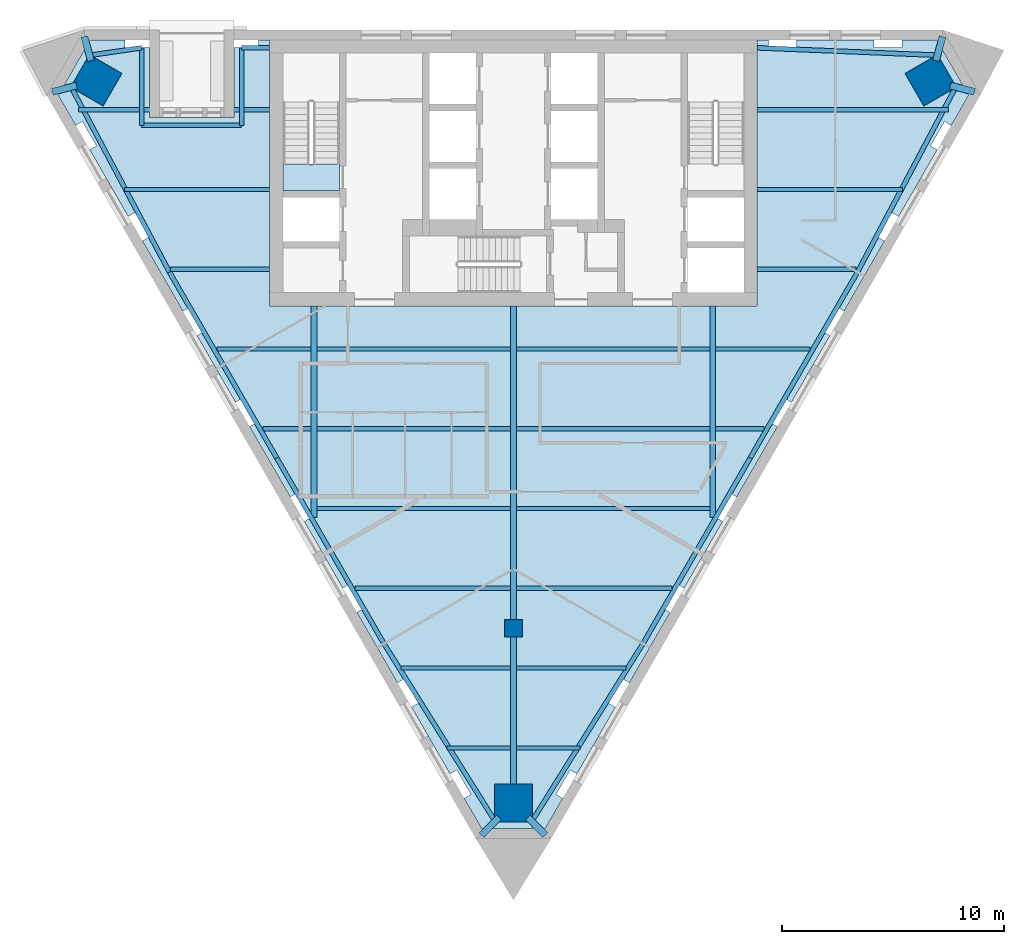
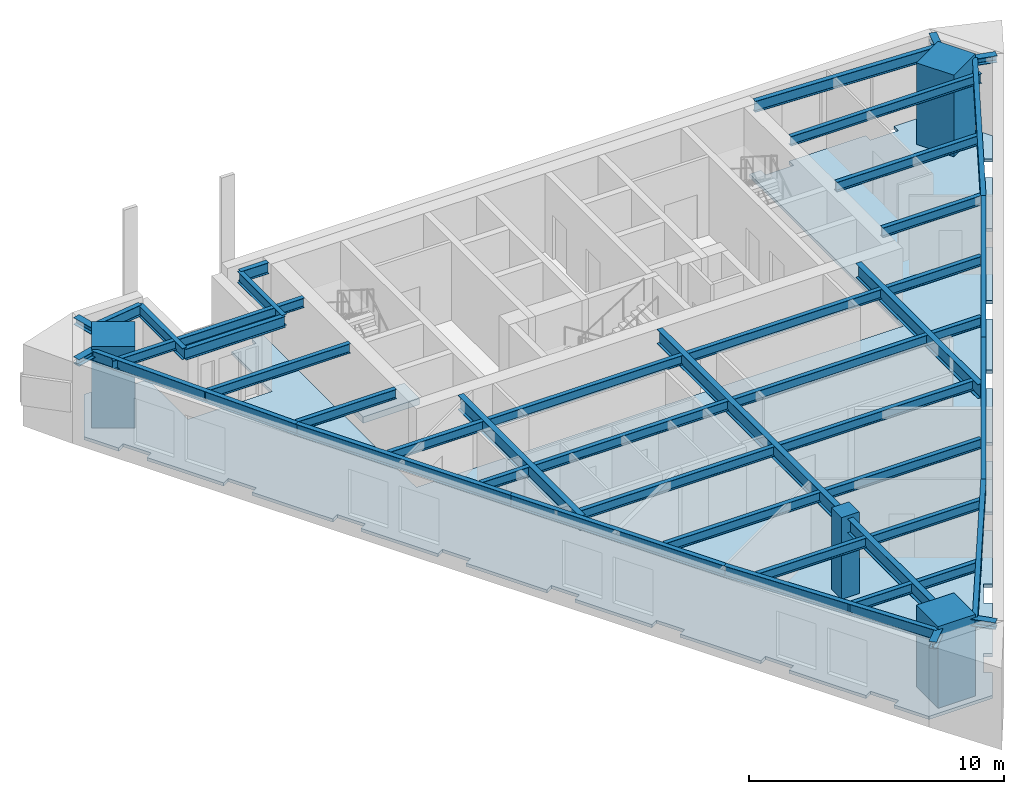
# One storey, part 1 of 6: 46 beams, 4 columns, 2 slabs.
"""IFC4 building model written with IfcOpenShell, lengths in metres."""

from ifc_helpers import new_model, si_unit, direction, frame, origin, origin_2d, place, context, subcontext, project, spatial, polyline, rectangle, i_section, outline, extrude, material, layer, layer_set, material_profile, profile_set, type_object, element, save


model = new_model("IFC4")

# Units and contexts
model_context = context("Model", 3, precision=1e-05, world=origin(), true_north=direction((0.0, 1.0)))
body_context = subcontext(model_context, "Body", "Model", "MODEL_VIEW")
ifc_project = project(units=[si_unit("LENGTHUNIT", "METRE"), si_unit("AREAUNIT", "SQUARE_METRE"), si_unit("VOLUMEUNIT", "CUBIC_METRE"), si_unit("PLANEANGLEUNIT", "RADIAN"), si_unit("MASSUNIT", "GRAM", prefix="KILO")], contexts=[model_context])

# Site, building, storey
site_placement = place(None, origin())
site = spatial("IfcSite", under=ifc_project, at=site_placement, CompositionType="ELEMENT")
building_placement = place(site_placement, origin())
building = spatial("IfcBuilding", under=site, at=building_placement, Name="Aloe Facet Convention Tower", CompositionType="ELEMENT")
storey_placement = place(building_placement, frame((0.0, 0.0, 191.89990234375)))
storey = spatial("IfcBuildingStorey", under=building, at=storey_placement, Name="L48", CompositionType="ELEMENT", Elevation=191.89990234375)

# Columns
ifc_material_1 = material(Name="Concrete C70/85", Category="concrete")
ifc_material_profile_1 = material_profile(ifc_material_1, rectangle(XDim=0.800048828125, YDim=0.800048828125, at=origin_2d()), Name="SF-GC-Z4")
ifc_profile_set_1 = profile_set([ifc_material_profile_1], Name="Concrete C70/85")
column_type_1 = type_object("IfcColumnType", Name="SF-GC-Z4", PredefinedType="COLUMN", material=ifc_profile_set_1)
column_placement = place(storey_placement, frame((80.0, 108.0, 0.0), z_axis=(0.0, 0.0, 1.0), x_axis=(1.0, 0.0, 0.0)))
element("IfcColumn", 1, at=column_placement, inside=storey, type_object=column_type_1, Name="Gravity column GC-Z4-9D", PredefinedType="COLUMN", context=body_context, shape_type="SweptSolid", body=[
    extrude(rectangle(XDim=0.800048828125, YDim=0.800048828125, at=origin_2d()), origin(), (0.0, 0.0, 1.0), 3.900146484375),
])
ifc_material_2 = material(Name="Concrete C80/95", Category="concrete")
ifc_material_profile_2 = material_profile(ifc_material_2, rectangle(XDim=1.699951171875, YDim=1.699951171875, at=origin_2d()), Name="STW-MC-Z4")
ifc_profile_set_2 = profile_set([ifc_material_profile_2], Name="Concrete C80/95")
column_type_2 = type_object("IfcColumnType", Name="STW-MC-Z4", PredefinedType="COLUMN", material=ifc_profile_set_2)
for number, where, z_axis, x_axis, name in (
    (2, (98.828857421875, 132.727783203125, 0.0), (0.0, 0.0, 1.0), (-0.5, 0.866025403784, 0.0), "Mega-column MC-NE-L48"),
    (3, (61.171142578125, 132.727783203125, 0.0), (0.0, 0.0, 1.0), (-0.5, -0.866025403784, 0.0), "Mega-column MC-NW-L48"),
    (4, (80.0, 100.114990234375, 0.0), (0.0, 0.0, 1.0), (1.0, 0.0, 0.0), "Mega-column MC-S-L48"),
):
    element("IfcColumn", number, at=place(storey_placement, frame(where, z_axis=z_axis, x_axis=x_axis)), inside=storey, type_object=column_type_2, Name=name, PredefinedType="COLUMN", context=body_context, shape_type="SweptSolid", body=[
        extrude(rectangle(XDim=1.699951171875, YDim=1.699951171875, at=origin_2d()), origin(), (0.0, 0.0, 1.0), 3.900146484375),
    ])

# Beams
ifc_material_3 = material(Name="Steel S355", Category="steel")
ifc_material_profile_3 = material_profile(ifc_material_3, i_section(OverallWidth=0.19140625, OverallDepth=0.4599609375, WebThickness=0.010009765625, FlangeThickness=0.01611328125, FilletRadius=0.01025390625, at=origin_2d()), Name="UB 457x191x82")
ifc_profile_set_3 = profile_set([ifc_material_profile_3], Name="Steel S355")
beam_type_1 = type_object("IfcBeamType", Name="SF-B-UB457x191x82", PredefinedType="BEAM", material=ifc_profile_set_3)
beam_1_placement = place(storey_placement, frame((60.373779296875, 131.39990234375, 3.52001953125), z_axis=(1.0, 0.0, 0.0), x_axis=(0.0, 1.0, 0.0)))
element("IfcBeam", 5, at=beam_1_placement, inside=storey, type_object=beam_type_1, Name="Floor beam FB-Z4D-019", PredefinedType="BEAM", context=body_context, shape_type="SweptSolid", body=[
    extrude(i_section(OverallWidth=0.19140625, OverallDepth=0.4599609375, WebThickness=0.010009765625, FlangeThickness=0.01611328125, FilletRadius=0.01025390625, at=origin_2d()), origin(), (0.0, 0.0, 1.0), 8.626220703125),
])
beam_2_placement = place(storey_placement, frame((62.452392578125, 127.800048828125, 3.52001953125), z_axis=(1.0, 0.0, 0.0), x_axis=(0.0, 1.0, 0.0)))
element("IfcBeam", 6, at=beam_2_placement, inside=storey, type_object=beam_type_1, Name="Floor beam FB-Z4D-020", PredefinedType="BEAM", context=body_context, shape_type="SweptSolid", body=[
    extrude(i_section(OverallWidth=0.19140625, OverallDepth=0.4599609375, WebThickness=0.010009765625, FlangeThickness=0.01611328125, FilletRadius=0.01025390625, at=origin_2d()), origin(), (0.0, 0.0, 1.0), 6.547607421875),
])
beam_3_placement = place(storey_placement, frame((64.53076171875, 124.199951171875, 3.52001953125), z_axis=(1.0, 0.0, 0.0), x_axis=(0.0, 1.0, 0.0)))
element("IfcBeam", 7, at=beam_3_placement, inside=storey, type_object=beam_type_1, Name="Floor beam FB-Z4D-021", PredefinedType="BEAM", context=body_context, shape_type="SweptSolid", body=[
    extrude(i_section(OverallWidth=0.19140625, OverallDepth=0.4599609375, WebThickness=0.010009765625, FlangeThickness=0.01611328125, FilletRadius=0.01025390625, at=origin_2d()), origin(), (0.0, 0.0, 1.0), 4.46923828125),
])
beam_4_placement = place(storey_placement, frame((66.609130859375, 120.60009765625, 3.52001953125), z_axis=(1.0, 0.0, 0.0), x_axis=(0.0, 1.0, 0.0)))
element("IfcBeam", 8, at=beam_4_placement, inside=storey, type_object=beam_type_1, Name="Floor beam FB-Z4D-022", PredefinedType="BEAM", context=body_context, shape_type="SweptSolid", body=[
    extrude(i_section(OverallWidth=0.19140625, OverallDepth=0.4599609375, WebThickness=0.010009765625, FlangeThickness=0.01611328125, FilletRadius=0.01025390625, at=origin_2d()), origin(), (0.0, 0.0, 1.0), 4.264404296875),
])
beam_5_placement = place(storey_placement, frame((68.687744140625, 117.0, 3.52001953125), z_axis=(1.0, 0.0, 0.0), x_axis=(0.0, 1.0, 0.0)))
element("IfcBeam", 9, at=beam_5_placement, inside=storey, type_object=beam_type_1, Name="Floor beam FB-Z4D-023", PredefinedType="BEAM", context=body_context, shape_type="SweptSolid", body=[
    extrude(i_section(OverallWidth=0.19140625, OverallDepth=0.4599609375, WebThickness=0.010009765625, FlangeThickness=0.01611328125, FilletRadius=0.01025390625, at=origin_2d()), origin(), (0.0, 0.0, 1.0), 2.185791015625),
])
for number, where, z_axis, x_axis, name in (
    (10, (71.12646484375, 113.39990234375, 3.52001953125), (1.0, 0.0, 0.0), (0.0, 1.0, 0.0), "Floor beam FB-Z4D-024"),
    (11, (71.12646484375, 117.0, 3.52001953125), (1.0, 0.0, 0.0), (0.0, 1.0, 0.0), "Floor beam FB-Z4D-025"),
    (12, (71.12646484375, 120.60009765625, 3.52001953125), (1.0, 0.0, 0.0), (0.0, 1.0, 0.0), "Floor beam FB-Z4D-026"),
):
    element("IfcBeam", number, at=place(storey_placement, frame(where, z_axis=z_axis, x_axis=x_axis)), inside=storey, type_object=beam_type_1, Name=name, PredefinedType="BEAM", context=body_context, shape_type="SweptSolid", body=[
        extrude(i_section(OverallWidth=0.19140625, OverallDepth=0.4599609375, WebThickness=0.010009765625, FlangeThickness=0.01611328125, FilletRadius=0.01025390625, at=origin_2d()), origin(), (0.0, 0.0, 1.0), 8.7470703125),
    ])
beam_6_placement = place(storey_placement, frame((72.844482421875, 109.800048828125, 3.52001953125), z_axis=(1.0, 0.0, 0.0), x_axis=(0.0, 1.0, 0.0)))
element("IfcBeam", 13, at=beam_6_placement, inside=storey, type_object=beam_type_1, Name="Floor beam FB-Z4D-027", PredefinedType="BEAM", context=body_context, shape_type="SweptSolid", body=[
    extrude(i_section(OverallWidth=0.19140625, OverallDepth=0.4599609375, WebThickness=0.010009765625, FlangeThickness=0.01611328125, FilletRadius=0.01025390625, at=origin_2d()), origin(), (0.0, 0.0, 1.0), 7.029052734375),
])
beam_7_placement = place(storey_placement, frame((74.923095703125, 106.199951171875, 3.52001953125), z_axis=(1.0, 0.0, 0.0), x_axis=(0.0, 1.0, 0.0)))
element("IfcBeam", 14, at=beam_7_placement, inside=storey, type_object=beam_type_1, Name="Floor beam FB-Z4D-028", PredefinedType="BEAM", context=body_context, shape_type="SweptSolid", body=[
    extrude(i_section(OverallWidth=0.19140625, OverallDepth=0.4599609375, WebThickness=0.010009765625, FlangeThickness=0.01611328125, FilletRadius=0.01025390625, at=origin_2d()), origin(), (0.0, 0.0, 1.0), 4.950439453125),
])
for number, where, z_axis, x_axis, name in (
    (15, (77.00146484375, 102.60009765625, 3.52001953125), (1.0, 0.0, 0.0), (0.0, 1.0, 0.0), "Floor beam FB-Z4D-029"),
    (16, (80.12646484375, 102.60009765625, 3.52001953125), (1.0, 0.0, 0.0), (0.0, 1.0, 0.0), "Floor beam FB-Z4D-030"),
):
    element("IfcBeam", number, at=place(storey_placement, frame(where, z_axis=z_axis, x_axis=x_axis)), inside=storey, type_object=beam_type_1, Name=name, PredefinedType="BEAM", context=body_context, shape_type="SweptSolid", body=[
        extrude(i_section(OverallWidth=0.19140625, OverallDepth=0.4599609375, WebThickness=0.010009765625, FlangeThickness=0.01611328125, FilletRadius=0.01025390625, at=origin_2d()), origin(), (0.0, 0.0, 1.0), 2.8720703125),
    ])
beam_8_placement = place(storey_placement, frame((80.12646484375, 106.199951171875, 3.52001953125), z_axis=(1.0, 0.0, 0.0), x_axis=(0.0, 1.0, 0.0)))
element("IfcBeam", 17, at=beam_8_placement, inside=storey, type_object=beam_type_1, Name="Floor beam FB-Z4D-031", PredefinedType="BEAM", context=body_context, shape_type="SweptSolid", body=[
    extrude(i_section(OverallWidth=0.19140625, OverallDepth=0.4599609375, WebThickness=0.010009765625, FlangeThickness=0.01611328125, FilletRadius=0.01025390625, at=origin_2d()), origin(), (0.0, 0.0, 1.0), 4.950439453125),
])
beam_9_placement = place(storey_placement, frame((80.12646484375, 109.800048828125, 3.52001953125), z_axis=(1.0, 0.0, 0.0), x_axis=(0.0, 1.0, 0.0)))
element("IfcBeam", 18, at=beam_9_placement, inside=storey, type_object=beam_type_1, Name="Floor beam FB-Z4D-032", PredefinedType="BEAM", context=body_context, shape_type="SweptSolid", body=[
    extrude(i_section(OverallWidth=0.19140625, OverallDepth=0.4599609375, WebThickness=0.010009765625, FlangeThickness=0.01611328125, FilletRadius=0.01025390625, at=origin_2d()), origin(), (0.0, 0.0, 1.0), 7.029052734375),
])
for number, where, z_axis, x_axis, name in (
    (19, (80.12646484375, 113.39990234375, 3.52001953125), (1.0, 0.0, 0.0), (0.0, 1.0, 0.0), "Floor beam FB-Z4D-033"),
    (20, (80.12646484375, 117.0, 3.52001953125), (1.0, 0.0, 0.0), (0.0, 1.0, 0.0), "Floor beam FB-Z4D-034"),
    (21, (80.12646484375, 120.60009765625, 3.52001953125), (1.0, 0.0, 0.0), (0.0, 1.0, 0.0), "Floor beam FB-Z4D-035"),
):
    element("IfcBeam", number, at=place(storey_placement, frame(where, z_axis=z_axis, x_axis=x_axis)), inside=storey, type_object=beam_type_1, Name=name, PredefinedType="BEAM", context=body_context, shape_type="SweptSolid", body=[
        extrude(i_section(OverallWidth=0.19140625, OverallDepth=0.4599609375, WebThickness=0.010009765625, FlangeThickness=0.01611328125, FilletRadius=0.01025390625, at=origin_2d()), origin(), (0.0, 0.0, 1.0), 8.7470703125),
    ])
beam_10_placement = place(storey_placement, frame((89.12646484375, 117.0, 3.52001953125), z_axis=(1.0, 0.0, 0.0), x_axis=(0.0, 1.0, 0.0)))
element("IfcBeam", 22, at=beam_10_placement, inside=storey, type_object=beam_type_1, Name="Floor beam FB-Z4D-036", PredefinedType="BEAM", context=body_context, shape_type="SweptSolid", body=[
    extrude(i_section(OverallWidth=0.19140625, OverallDepth=0.4599609375, WebThickness=0.010009765625, FlangeThickness=0.01611328125, FilletRadius=0.01025390625, at=origin_2d()), origin(), (0.0, 0.0, 1.0), 2.185791015625),
])
beam_11_placement = place(storey_placement, frame((89.12646484375, 120.60009765625, 3.52001953125), z_axis=(1.0, 0.0, 0.0), x_axis=(0.0, 1.0, 0.0)))
element("IfcBeam", 23, at=beam_11_placement, inside=storey, type_object=beam_type_1, Name="Floor beam FB-Z4D-037", PredefinedType="BEAM", context=body_context, shape_type="SweptSolid", body=[
    extrude(i_section(OverallWidth=0.19140625, OverallDepth=0.4599609375, WebThickness=0.010009765625, FlangeThickness=0.01611328125, FilletRadius=0.01025390625, at=origin_2d()), origin(), (0.0, 0.0, 1.0), 4.264404296875),
])
beam_12_placement = place(storey_placement, frame((91.0, 124.199951171875, 3.52001953125), z_axis=(1.0, 0.0, 0.0), x_axis=(0.0, 1.0, 0.0)))
element("IfcBeam", 24, at=beam_12_placement, inside=storey, type_object=beam_type_1, Name="Floor beam FB-Z4D-038", PredefinedType="BEAM", context=body_context, shape_type="SweptSolid", body=[
    extrude(i_section(OverallWidth=0.19140625, OverallDepth=0.4599609375, WebThickness=0.010009765625, FlangeThickness=0.01611328125, FilletRadius=0.01025390625, at=origin_2d()), origin(), (0.0, 0.0, 1.0), 4.46923828125),
])
beam_13_placement = place(storey_placement, frame((91.0, 127.800048828125, 3.52001953125), z_axis=(1.0, 0.0, 0.0), x_axis=(0.0, 1.0, 0.0)))
element("IfcBeam", 25, at=beam_13_placement, inside=storey, type_object=beam_type_1, Name="Floor beam FB-Z4D-039", PredefinedType="BEAM", context=body_context, shape_type="SweptSolid", body=[
    extrude(i_section(OverallWidth=0.19140625, OverallDepth=0.4599609375, WebThickness=0.010009765625, FlangeThickness=0.01611328125, FilletRadius=0.01025390625, at=origin_2d()), origin(), (0.0, 0.0, 1.0), 6.547607421875),
])
beam_14_placement = place(storey_placement, frame((91.0, 131.39990234375, 3.52001953125), z_axis=(1.0, 0.0, 0.0), x_axis=(0.0, 1.0, 0.0)))
element("IfcBeam", 26, at=beam_14_placement, inside=storey, type_object=beam_type_1, Name="Floor beam FB-Z4D-040", PredefinedType="BEAM", context=body_context, shape_type="SweptSolid", body=[
    extrude(i_section(OverallWidth=0.19140625, OverallDepth=0.4599609375, WebThickness=0.010009765625, FlangeThickness=0.01611328125, FilletRadius=0.01025390625, at=origin_2d()), origin(), (0.0, 0.0, 1.0), 8.626220703125),
])
ifc_material_4 = material(Name="Steel S355", Category="steel")
ifc_material_profile_4 = material_profile(ifc_material_4, i_section(OverallWidth=0.209228515625, OverallDepth=0.533203125, WebThickness=0.010009765625, FlangeThickness=0.015625, FilletRadius=0.0126953125, at=origin_2d()), Name="UB 533x210x92")
ifc_profile_set_4 = profile_set([ifc_material_profile_4], Name="Steel S355")
beam_type_2 = type_object("IfcBeamType", Name="SF-B-UB533x210x92", PredefinedType="BEAM", material=ifc_profile_set_4)
beam_15_placement = place(storey_placement, frame((60.9072265625, 133.861572265625, 3.483642578125), z_axis=(0.98976492374, 0.142707377993, 0.0), x_axis=(-0.142707377993, 0.98976492374, 0.0)))
element("IfcBeam", 27, at=beam_15_placement, inside=storey, type_object=beam_type_2, Name="Floor beam FB-Z4D-001", PredefinedType="BEAM", context=body_context, shape_type="SweptSolid", body=[
    extrude(i_section(OverallWidth=0.209228515625, OverallDepth=0.533203125, WebThickness=0.010009765625, FlangeThickness=0.015625, FilletRadius=0.0126953125, at=origin_2d()), origin(), (0.0, 0.0, 1.0), 2.338623046875),
])
beam_16_placement = place(storey_placement, frame((63.221923828125, 130.6953125, 3.483642578125), z_axis=(1.0, 0.0, 0.0), x_axis=(0.0, 1.0, 0.0)))
element("IfcBeam", 28, at=beam_16_placement, inside=storey, type_object=beam_type_2, Name="Floor beam FB-Z4D-002", PredefinedType="BEAM", context=body_context, shape_type="SweptSolid", body=[
    extrude(i_section(OverallWidth=0.209228515625, OverallDepth=0.533203125, WebThickness=0.010009765625, FlangeThickness=0.015625, FilletRadius=0.0126953125, at=origin_2d()), origin(), (0.0, 0.0, 1.0), 4.50927734375),
])
beam_17_placement = place(storey_placement, frame((63.221923828125, 134.1953125, 3.483642578125), z_axis=(0.0, -1.0, 0.0), x_axis=(1.0, 0.0, 0.0)))
element("IfcBeam", 29, at=beam_17_placement, inside=storey, type_object=beam_type_2, Name="Floor beam FB-Z4D-003", PredefinedType="BEAM", context=body_context, shape_type="SweptSolid", body=[
    extrude(i_section(OverallWidth=0.209228515625, OverallDepth=0.533203125, WebThickness=0.010009765625, FlangeThickness=0.015625, FilletRadius=0.0126953125, at=origin_2d()), origin(), (0.0, 0.0, 1.0), 3.5),
])
beam_18_placement = place(storey_placement, frame((64.473388671875, 124.07275390625, 3.483642578125), z_axis=(-0.468992824016, 0.883201976346, 0.0), x_axis=(-0.883201976346, -0.468992824016, 0.0)))
element("IfcBeam", 30, at=beam_18_placement, inside=storey, type_object=beam_type_2, Name="Floor beam FB-Z4D-004", PredefinedType="BEAM", context=body_context, shape_type="SweptSolid", body=[
    extrude(i_section(OverallWidth=0.209228515625, OverallDepth=0.533203125, WebThickness=0.010009765625, FlangeThickness=0.015625, FilletRadius=0.0126953125, at=origin_2d()), origin(), (0.0, 0.0, 1.0), 9.41650390625),
])
beam_19_placement = place(storey_placement, frame((67.731201171875, 130.6953125, 3.483642578125), z_axis=(0.0, 1.0, 0.0), x_axis=(-1.0, 0.0, 0.0)))
element("IfcBeam", 31, at=beam_19_placement, inside=storey, type_object=beam_type_2, Name="Floor beam FB-Z4D-005", PredefinedType="BEAM", context=body_context, shape_type="SweptSolid", body=[
    extrude(i_section(OverallWidth=0.209228515625, OverallDepth=0.533203125, WebThickness=0.010009765625, FlangeThickness=0.015625, FilletRadius=0.0126953125, at=origin_2d()), origin(), (0.0, 0.0, 1.0), 3.5),
])
beam_20_placement = place(storey_placement, frame((67.731201171875, 134.1953125, 3.483642578125), z_axis=(1.0, 0.0, 0.0), x_axis=(0.0, 1.0, 0.0)))
element("IfcBeam", 32, at=beam_20_placement, inside=storey, type_object=beam_type_2, Name="Floor beam FB-Z4D-006", PredefinedType="BEAM", context=body_context, shape_type="SweptSolid", body=[
    extrude(i_section(OverallWidth=0.209228515625, OverallDepth=0.533203125, WebThickness=0.010009765625, FlangeThickness=0.015625, FilletRadius=0.0126953125, at=origin_2d()), origin(), (0.0, 0.0, 1.0), 1.268798828125),
])
for number, where, z_axis, x_axis, name in (
    (33, (69.314453125, 115.6875, 3.483642578125), (-0.499987285075, 0.866032744625, 0.0), (-0.866032744625, -0.499987285075, 0.0), "Floor beam FB-Z4D-007"),
    (34, (74.15576171875, 107.302490234375, 3.483642578125), (-0.500017114798, 0.866015522326, 0.0), (-0.866015522326, -0.500017114798, 0.0), "Floor beam FB-Z4D-008"),
):
    element("IfcBeam", number, at=place(storey_placement, frame(where, z_axis=z_axis, x_axis=x_axis)), inside=storey, type_object=beam_type_2, Name=name, PredefinedType="BEAM", context=body_context, shape_type="SweptSolid", body=[
        extrude(i_section(OverallWidth=0.209228515625, OverallDepth=0.533203125, WebThickness=0.010009765625, FlangeThickness=0.015625, FilletRadius=0.0126953125, at=origin_2d()), origin(), (0.0, 0.0, 1.0), 9.682373046875),
    ])
for number, where, z_axis, x_axis, name in (
    (35, (79.14990234375, 99.319580078125, 3.483642578125), (-0.530367114756, 0.847768083609, 0.0), (-0.847768083609, -0.530367114756, 0.0), "Floor beam FB-Z4D-009"),
    (36, (85.84423828125, 107.302490234375, 3.483642578125), (-0.530367114756, -0.847768083609, 0.0), (0.847768083609, -0.530367114756, 0.0), "Floor beam FB-Z4D-010"),
):
    element("IfcBeam", number, at=place(storey_placement, frame(where, z_axis=z_axis, x_axis=x_axis)), inside=storey, type_object=beam_type_2, Name=name, PredefinedType="BEAM", context=body_context, shape_type="SweptSolid", body=[
        extrude(i_section(OverallWidth=0.209228515625, OverallDepth=0.533203125, WebThickness=0.010009765625, FlangeThickness=0.015625, FilletRadius=0.0126953125, at=origin_2d()), origin(), (0.0, 0.0, 1.0), 9.41650390625),
    ])
beam_21_placement = place(storey_placement, frame((90.685546875, 115.6875, 3.483642578125), z_axis=(-0.500017114798, -0.866015522326, 0.0), x_axis=(0.866015522326, -0.500017114798, 0.0)))
element("IfcBeam", 37, at=beam_21_placement, inside=storey, type_object=beam_type_2, Name="Floor beam FB-Z4D-011", PredefinedType="BEAM", context=body_context, shape_type="SweptSolid", body=[
    extrude(i_section(OverallWidth=0.209228515625, OverallDepth=0.533203125, WebThickness=0.010009765625, FlangeThickness=0.015625, FilletRadius=0.0126953125, at=origin_2d()), origin(), (0.0, 0.0, 1.0), 9.682373046875),
])
beam_22_placement = place(storey_placement, frame((91.0, 134.1953125, 3.483642578125), z_axis=(0.999150743543, -0.041204267721, 0.0), x_axis=(0.041204267721, 0.999150743543, 0.0)))
element("IfcBeam", 38, at=beam_22_placement, inside=storey, type_object=beam_type_2, Name="Floor beam FB-Z4D-012", PredefinedType="BEAM", context=body_context, shape_type="SweptSolid", body=[
    extrude(i_section(OverallWidth=0.209228515625, OverallDepth=0.533203125, WebThickness=0.010009765625, FlangeThickness=0.015625, FilletRadius=0.0126953125, at=origin_2d()), origin(), (0.0, 0.0, 1.0), 8.099609375),
])
beam_23_placement = place(storey_placement, frame((95.526611328125, 124.07275390625, 3.483642578125), z_axis=(-0.499987285075, -0.866032744625, 0.0), x_axis=(0.866032744625, -0.499987285075, 0.0)))
element("IfcBeam", 39, at=beam_23_placement, inside=storey, type_object=beam_type_2, Name="Floor beam FB-Z4D-013", PredefinedType="BEAM", context=body_context, shape_type="SweptSolid", body=[
    extrude(i_section(OverallWidth=0.209228515625, OverallDepth=0.533203125, WebThickness=0.010009765625, FlangeThickness=0.015625, FilletRadius=0.0126953125, at=origin_2d()), origin(), (0.0, 0.0, 1.0), 9.682373046875),
])
beam_24_placement = place(storey_placement, frame((99.94287109375, 132.389404296875, 3.483642578125), z_axis=(-0.468992824016, -0.883201976346, 0.0), x_axis=(0.883201976346, -0.468992824016, 0.0)))
element("IfcBeam", 40, at=beam_24_placement, inside=storey, type_object=beam_type_2, Name="Floor beam FB-Z4D-014", PredefinedType="BEAM", context=body_context, shape_type="SweptSolid", body=[
    extrude(i_section(OverallWidth=0.209228515625, OverallDepth=0.533203125, WebThickness=0.010009765625, FlangeThickness=0.015625, FilletRadius=0.0126953125, at=origin_2d()), origin(), (0.0, 0.0, 1.0), 9.41650390625),
])
ifc_material_5 = material(Name="Steel S355", Category="steel")
ifc_material_profile_5 = material_profile(ifc_material_5, i_section(OverallWidth=0.2529296875, OverallDepth=0.677978515625, WebThickness=0.01171875, FlangeThickness=0.01611328125, FilletRadius=0.01513671875, at=origin_2d()), Name="UB 686x254x125")
ifc_profile_set_5 = profile_set([ifc_material_profile_5], Name="Steel S355")
beam_type_3 = type_object("IfcBeamType", Name="SF-B-UB686x254x125", PredefinedType="BEAM", material=ifc_profile_set_5)
beam_25_placement = place(storey_placement, frame((71.0, 122.550048828125, 3.4111328125), z_axis=(0.0, -1.0, 0.0), x_axis=(1.0, 0.0, 0.0)))
element("IfcBeam", 41, at=beam_25_placement, inside=storey, type_object=beam_type_3, Name="Floor beam FB-Z4D-015", PredefinedType="BEAM", context=body_context, shape_type="SweptSolid", body=[
    extrude(i_section(OverallWidth=0.2529296875, OverallDepth=0.677978515625, WebThickness=0.01171875, FlangeThickness=0.01611328125, FilletRadius=0.01513671875, at=origin_2d()), origin(), (0.0, 0.0, 1.0), 9.5625),
])
beam_26_placement = place(storey_placement, frame((80.0, 107.60009765625, 3.4111328125), z_axis=(0.0, -1.0, 0.0), x_axis=(1.0, 0.0, 0.0)))
element("IfcBeam", 42, at=beam_26_placement, inside=storey, type_object=beam_type_3, Name="Floor beam FB-Z4D-016", PredefinedType="BEAM", context=body_context, shape_type="SweptSolid", body=[
    extrude(i_section(OverallWidth=0.2529296875, OverallDepth=0.677978515625, WebThickness=0.01171875, FlangeThickness=0.01611328125, FilletRadius=0.01513671875, at=origin_2d()), origin(), (0.0, 0.0, 1.0), 8.165771484375),
])
beam_27_placement = place(storey_placement, frame((80.0, 122.550048828125, 3.4111328125), z_axis=(0.0, -1.0, 0.0), x_axis=(1.0, 0.0, 0.0)))
element("IfcBeam", 43, at=beam_27_placement, inside=storey, type_object=beam_type_3, Name="Floor beam FB-Z4D-017", PredefinedType="BEAM", context=body_context, shape_type="SweptSolid", body=[
    extrude(i_section(OverallWidth=0.2529296875, OverallDepth=0.677978515625, WebThickness=0.01171875, FlangeThickness=0.01611328125, FilletRadius=0.01513671875, at=origin_2d()), origin(), (0.0, 0.0, 1.0), 14.150146484375),
])
beam_28_placement = place(storey_placement, frame((89.0, 122.550048828125, 3.4111328125), z_axis=(0.0, -1.0, 0.0), x_axis=(1.0, 0.0, 0.0)))
element("IfcBeam", 44, at=beam_28_placement, inside=storey, type_object=beam_type_3, Name="Floor beam FB-Z4D-018", PredefinedType="BEAM", context=body_context, shape_type="SweptSolid", body=[
    extrude(i_section(OverallWidth=0.2529296875, OverallDepth=0.677978515625, WebThickness=0.01171875, FlangeThickness=0.01611328125, FilletRadius=0.01513671875, at=origin_2d()), origin(), (0.0, 0.0, 1.0), 9.5625),
])
ifc_material_6 = material(Name="Steel S355", Category="steel")
ifc_material_profile_6 = material_profile(ifc_material_6, i_section(OverallWidth=0.311279296875, OverallDepth=0.3271484375, WebThickness=0.015869140625, FlangeThickness=0.02490234375, FilletRadius=0.01513671875, at=origin_2d()), Name="UC 305x305x158")
ifc_profile_set_6 = profile_set([ifc_material_profile_6], Name="Steel S355")
beam_type_4 = type_object("IfcBeamType", Name="STW-NT", PredefinedType="BEAM", material=ifc_profile_set_6)
for number, where, z_axis, x_axis, name in (
    (45, (99.364501953125, 134.699951171875, 3.58642578125), (-0.261999608535, -0.965067979537, 0.0), (0.965067979537, -0.261999608535, 0.0), "Lattice tie NT-Z4-F1-R2-01"),
    (46, (60.635498046875, 134.699951171875, 3.58642578125), (0.261999608535, -0.965067979537, 0.0), (0.965067979537, 0.261999608535, 0.0), "Lattice tie NT-Z4-F1-R2-05"),
    (47, (59.1953125, 132.20556640625, 3.58642578125), (0.966807551586, 0.255505691125, 0.0), (-0.255505691125, 0.966807551586, 0.0), "Lattice tie NT-Z4-F2-R2-01"),
):
    element("IfcBeam", number, at=place(storey_placement, frame(where, z_axis=z_axis, x_axis=x_axis)), inside=storey, type_object=beam_type_4, Name=name, PredefinedType="BEAM", context=body_context, shape_type="SweptSolid", body=[
        extrude(i_section(OverallWidth=0.311279296875, OverallDepth=0.3271484375, WebThickness=0.015869140625, FlangeThickness=0.02490234375, FilletRadius=0.01513671875, at=origin_2d()), origin(), (0.0, 0.0, 1.0), 1.12744140625),
    ])
for number, where, z_axis, x_axis, name in (
    (48, (78.559814453125, 98.6650390625, 3.58642578125), (0.704721224253, 0.709484317013, 0.0), (-0.709484317013, 0.704721224253, 0.0), "Lattice tie NT-Z4-F2-R2-05"),
    (49, (81.440185546875, 98.6650390625, 3.58642578125), (-0.704721224253, 0.709484317013, 0.0), (-0.709484317013, -0.704721224253, 0.0), "Lattice tie NT-Z4-F3-R2-01"),
):
    element("IfcBeam", number, at=place(storey_placement, frame(where, z_axis=z_axis, x_axis=x_axis)), inside=storey, type_object=beam_type_4, Name=name, PredefinedType="BEAM", context=body_context, shape_type="SweptSolid", body=[
        extrude(i_section(OverallWidth=0.311279296875, OverallDepth=0.3271484375, WebThickness=0.015869140625, FlangeThickness=0.02490234375, FilletRadius=0.01513671875, at=origin_2d()), origin(), (0.0, 0.0, 1.0), 1.127685546875),
    ])
beam_29_placement = place(storey_placement, frame((100.8046875, 132.20556640625, 3.58642578125), z_axis=(-0.966807551586, 0.255505691125, 0.0), x_axis=(-0.255505691125, -0.966807551586, 0.0)))
element("IfcBeam", 50, at=beam_29_placement, inside=storey, type_object=beam_type_4, Name="Lattice tie NT-Z4-F3-R2-05", PredefinedType="BEAM", context=body_context, shape_type="SweptSolid", body=[
    extrude(i_section(OverallWidth=0.311279296875, OverallDepth=0.3271484375, WebThickness=0.015869140625, FlangeThickness=0.02490234375, FilletRadius=0.01513671875, at=origin_2d()), origin(), (0.0, 0.0, 1.0), 1.12744140625),
])

# Slabs
ifc_material_7 = material(Name="Concrete C50/60", Category="concrete")
ifc_layer_1 = layer(ifc_material_7, 0.300048828125)
ifc_layer_set_1 = layer_set([ifc_layer_1], Name="CR-S-FLOOR300-C5060")
slab_type_1 = type_object("IfcSlabType", Name="CR-S-FLOOR300-C5060", PredefinedType="FLOOR", material=ifc_layer_set_1)
slab_1_placement = place(storey_placement, frame((0.0, 0.0, -0.2998046875)))
element("IfcSlab", 51, at=slab_1_placement, inside=storey, type_object=slab_type_1, Name="Stair landing floor L48", PredefinedType="FLOOR", context=body_context, shape_type="SweptSolid", body=[
    extrude(outline(polyline([(72.14990234375, 127.75), (72.14990234375, 128.951171875), (69.60009765625, 128.951171875), (69.60009765625, 127.75), (72.14990234375, 127.75)])), origin(), (0.0, 0.0, 1.0), 0.2998046875),
])
ifc_material_8 = material(Name="Concrete C35/45", Category="concrete")
ifc_layer_2 = layer(ifc_material_8, 0.14990234375)
ifc_layer_set_2 = layer_set([ifc_layer_2], Name="SF-FS-150")
slab_type_2 = type_object("IfcSlabType", Name="SF-FS-150", PredefinedType="FLOOR", material=ifc_layer_set_2)
slab_2_placement = place(storey_placement, frame((0.0, 0.0, -0.14990234375)))
element("IfcSlab", 52, at=slab_2_placement, inside=storey, type_object=slab_type_2, Name="Floor slab L48-1", PredefinedType="FLOOR", context=body_context, shape_type="SweptSolid", body=[
    extrude(outline(polyline([(100.544921875, 132.055419921875), (99.7587890625, 130.69384765625), (99.455810546875, 130.868896484375), (98.82080078125, 129.76904296875), (99.123779296875, 129.593994140625), (97.384765625, 126.581787109375), (97.081787109375, 126.7568359375), (96.44677734375, 125.656982421875), (96.749755859375, 125.48193359375), (94.917724609375, 122.30859375), (94.614501953125, 122.483642578125), (93.9794921875, 121.3837890625), (94.28271484375, 121.208740234375), (92.543701171875, 118.19677734375), (92.240478515625, 118.371826171875), (91.60546875, 117.27197265625), (91.90869140625, 117.096923828125), (90.076416015625, 113.923583984375), (89.7734375, 114.0986328125), (89.138427734375, 112.998779296875), (89.44140625, 112.82373046875), (87.702392578125, 109.811767578125), (87.3994140625, 109.98681640625), (86.764404296875, 108.88671875), (87.0673828125, 108.7119140625), (85.2353515625, 105.53857421875), (84.932373046875, 105.71337890625), (84.29736328125, 104.613525390625), (84.600341796875, 104.438720703125), (82.861328125, 101.426513671875), (82.558349609375, 101.6015625), (81.923095703125, 100.501708984375), (82.226318359375, 100.32666015625), (81.440185546875, 98.965087890625), (78.559814453125, 98.965087890625), (77.773681640625, 100.32666015625), (78.076904296875, 100.501708984375), (77.441650390625, 101.6015625), (77.138671875, 101.426513671875), (75.399658203125, 104.438720703125), (75.70263671875, 104.613525390625), (75.067626953125, 105.71337890625), (74.7646484375, 105.53857421875), (72.9326171875, 108.7119140625), (73.235595703125, 108.88671875), (72.6005859375, 109.98681640625), (72.297607421875, 109.811767578125), (70.55859375, 112.82373046875), (70.861572265625, 112.998779296875), (70.2265625, 114.0986328125), (69.923583984375, 113.923583984375), (68.09130859375, 117.096923828125), (68.39453125, 117.27197265625), (67.759521484375, 118.371826171875), (67.456298828125, 118.19677734375), (65.71728515625, 121.208740234375), (66.0205078125, 121.3837890625), (65.385498046875, 122.483642578125), (65.082275390625, 122.30859375), (63.250244140625, 125.48193359375), (63.55322265625, 125.656982421875), (62.918212890625, 126.7568359375), (62.615234375, 126.581787109375), (60.876220703125, 129.593994140625), (61.17919921875, 129.76904296875), (60.544189453125, 130.868896484375), (60.2412109375, 130.69384765625), (59.455078125, 132.055419921875), (60.895263671875, 134.550048828125), (62.467529296875, 134.550048828125), (62.467529296875, 134.199951171875), (63.576416015625, 134.199951171875), (63.576416015625, 131.050048828125), (67.37646484375, 131.050048828125), (67.37646484375, 134.199951171875), (68.485595703125, 134.199951171875), (68.485595703125, 134.550048828125), (69.0, 134.550048828125), (69.0, 128.050048828125), (69.0, 127.14990234375), (69.0, 125.75), (69.0, 124.85009765625), (69.0, 122.550048828125), (71.85009765625, 122.550048828125), (72.75, 122.550048828125), (74.699951171875, 122.550048828125), (75.60009765625, 122.550048828125), (81.199951171875, 122.550048828125), (82.10009765625, 122.550048828125), (84.39990234375, 122.550048828125), (85.300048828125, 122.550048828125), (87.25, 122.550048828125), (88.14990234375, 122.550048828125), (91.0, 122.550048828125), (91.0, 124.85009765625), (91.0, 125.75), (91.0, 127.14990234375), (91.0, 128.050048828125), (91.0, 134.550048828125), (91.514404296875, 134.550048828125), (91.514404296875, 134.199951171875), (92.784423828125, 134.199951171875), (92.784423828125, 134.550048828125), (96.262451171875, 134.550048828125), (96.262451171875, 134.199951171875), (97.532470703125, 134.199951171875), (97.532470703125, 134.550048828125), (99.104736328125, 134.550048828125), (100.544921875, 132.055419921875)]), holes=[polyline([(80.85009765625, 99.264892578125), (80.85009765625, 100.965087890625), (79.14990234375, 100.965087890625), (79.14990234375, 99.264892578125), (80.85009765625, 99.264892578125)]), polyline([(60.85986328125, 133.888916015625), (60.010009765625, 132.41650390625), (61.482177734375, 131.566650390625), (62.33203125, 133.038818359375), (60.85986328125, 133.888916015625)]), polyline([(80.39990234375, 107.60009765625), (80.39990234375, 108.39990234375), (79.60009765625, 108.39990234375), (79.60009765625, 107.60009765625), (80.39990234375, 107.60009765625)]), polyline([(99.989990234375, 132.41650390625), (99.14013671875, 133.888916015625), (97.66796875, 133.038818359375), (98.517822265625, 131.566650390625), (99.989990234375, 132.41650390625)])]), origin(), (0.0, 0.0, 1.0), 0.14990234375),
])

save(model, "model.ifc")
